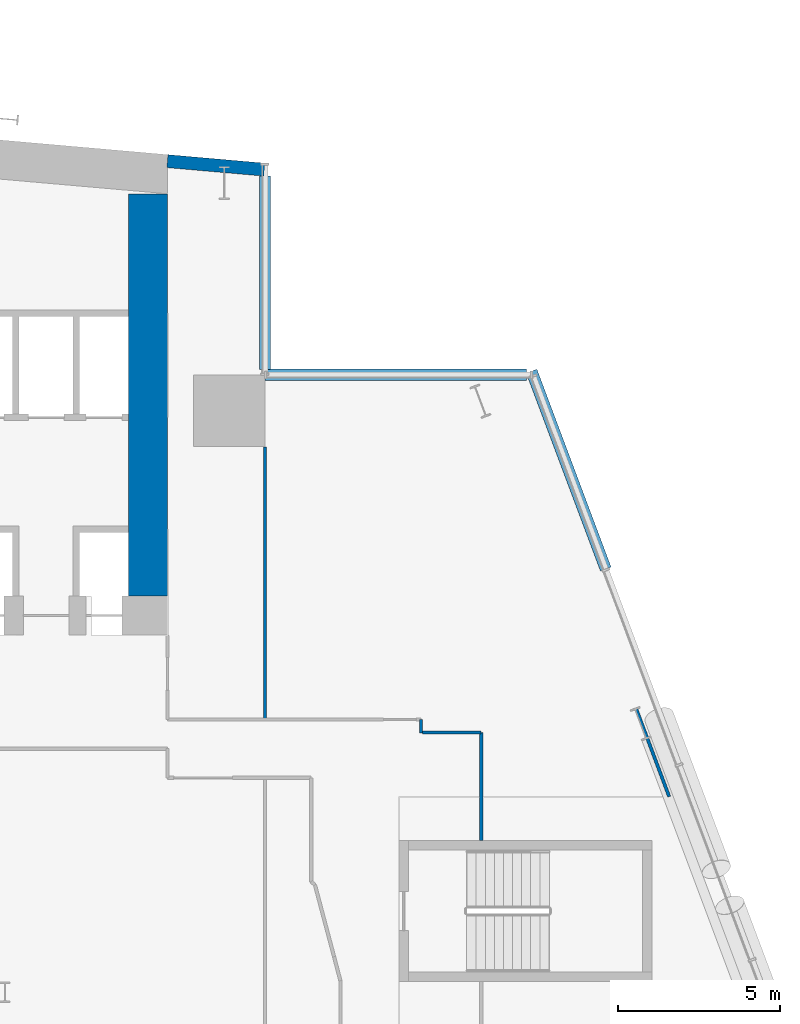
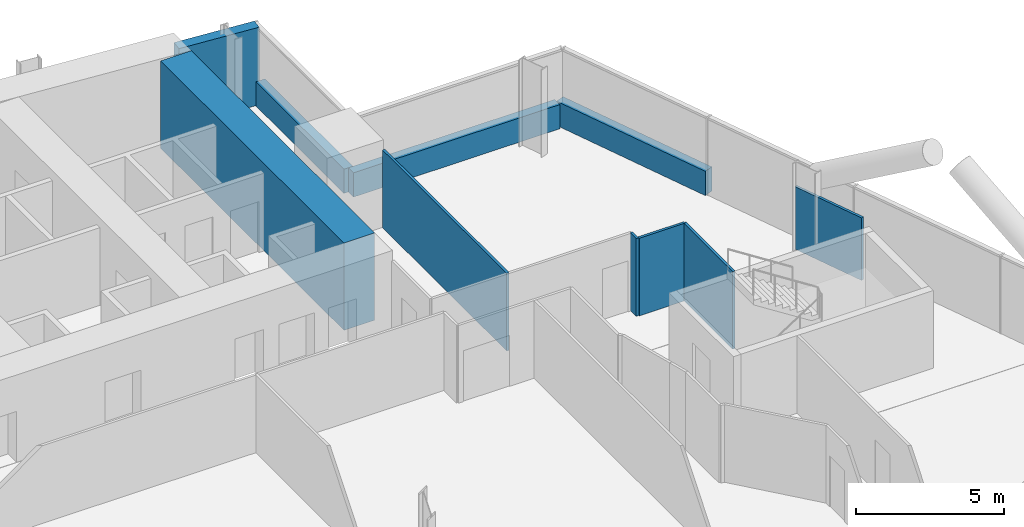
# One storey, part 19 of 27: 10 walls.
"""IFC4 building model written with IfcOpenShell, lengths in metres."""

from ifc_helpers import new_model, si_unit, direction, frame, frame_2d, origin, place, context, subcontext, project, spatial, rectangle, extrude, material, layer, layer_set, type_object, element, save


model = new_model("IFC4")

# Units and contexts
model_context = context("Model", 3, precision=1e-05, world=origin(), true_north=direction((0.0, 1.0)))
body_context = subcontext(model_context, "Body", "Model", "MODEL_VIEW")
ifc_project = project(units=[si_unit("LENGTHUNIT", "METRE"), si_unit("AREAUNIT", "SQUARE_METRE"), si_unit("VOLUMEUNIT", "CUBIC_METRE"), si_unit("PLANEANGLEUNIT", "RADIAN"), si_unit("MASSUNIT", "GRAM", prefix="KILO")], contexts=[model_context])

# Site, building, storey
site_placement = place(None, origin())
site = spatial("IfcSite", under=ifc_project, at=site_placement, CompositionType="ELEMENT")
building_placement = place(site_placement, origin())
building = spatial("IfcBuilding", under=site, at=building_placement, Name="Wharfspan Tower", CompositionType="ELEMENT")
storey_placement = place(building_placement, frame((0.0, 0.0, 81.100098)))
storey = spatial("IfcBuildingStorey", under=building, at=storey_placement, Name="L17", CompositionType="ELEMENT", Elevation=81.100098)

# Walls
ifc_material_1 = material(Name="Gypsum board on steel studs", Category="steel")
ifc_layer_1 = layer(ifc_material_1, 0.100098)
ifc_layer_set_1 = layer_set([ifc_layer_1], Name="Gypsum board on steel studs")
wall_type_1 = type_object("IfcWallType", Name="Compartment wall 100 EI 60", PredefinedType="PARTITIONING", material=ifc_layer_set_1)
wall_1_placement = place(storey_placement, frame((68.0, 31.399902, 0.0), z_axis=(0.0, 0.0, 1.0), x_axis=(0.0, 1.0, 0.0)))
element("IfcWall", 1, at=wall_1_placement, inside=storey, type_object=wall_type_1, Name="Partition L17.w053", PredefinedType="PARTITIONING", context=body_context, shape_type="SweptSolid", body=[
    extrude(rectangle(XDim=8.390137, YDim=0.100098, at=frame_2d((4.195068, 0.0))), origin(), (0.0, 0.0, 1.0), 3.199951),
])
wall_2_placement = place(storey_placement, frame((72.810059, 30.985107, 0.0), z_axis=(0.0, 0.0, 1.0), x_axis=(0.0, 1.0, 0.0)))
element("IfcWall", 2, at=wall_2_placement, inside=storey, type_object=wall_type_1, Name="Partition L17.w061", PredefinedType="PARTITIONING", context=body_context, shape_type="SweptSolid", body=[
    extrude(rectangle(XDim=0.414795, YDim=0.100098, at=frame_2d((0.20752, 0.0))), origin(), (0.0, 0.0, 1.0), 3.199951),
])
wall_3_placement = place(storey_placement, frame((72.860107, 31.0, 0.0), z_axis=(0.0, 0.0, 1.0), x_axis=(1.0, 0.0, 0.0)))
element("IfcWall", 3, at=wall_3_placement, inside=storey, type_object=wall_type_1, Name="Partition L17.w063", PredefinedType="PARTITIONING", context=body_context, shape_type="SweptSolid", body=[
    extrude(rectangle(XDim=1.799805, YDim=0.100098, at=frame_2d((0.899902, 0.0))), origin(), (0.0, 0.0, 1.0), 3.199951),
])
wall_4_placement = place(storey_placement, frame((74.659912, 27.675049, 0.0), z_axis=(0.0, 0.0, 1.0), x_axis=(0.0, 1.0, 0.0)))
element("IfcWall", 4, at=wall_4_placement, inside=storey, type_object=wall_type_1, Name="Partition L17.w066", PredefinedType="PARTITIONING", context=body_context, shape_type="SweptSolid", body=[
    extrude(rectangle(XDim=3.324951, YDim=0.100098, at=frame_2d((1.662598, 0.0))), origin(), (0.0, 0.0, 1.0), 3.199951),
])
ifc_material_2 = material(Name="Concrete C70/85", Category="concrete")
ifc_layer_2 = layer(ifc_material_2, 1.199951)
ifc_layer_set_2 = layer_set([ifc_layer_2], Name="Concrete C70/85")
wall_type_2 = type_object("IfcWallType", Name="Core wall 1200 C70/85", PredefinedType="SHEAR", material=ifc_layer_set_2)
wall_5_placement = place(storey_placement, frame((64.399902, 35.199951, 0.0), z_axis=(0.0, 0.0, 1.0), x_axis=(0.0, 1.0, 0.0)))
element("IfcWall", 5, at=wall_5_placement, inside=storey, type_object=wall_type_2, Name="Core cross wall EW1 L17", PredefinedType="SHEAR", context=body_context, shape_type="SweptSolid", body=[
    extrude(rectangle(XDim=12.382812, YDim=1.199951, at=frame_2d((6.191406, 0.0))), origin(), (0.0, 0.0, 1.0), 3.599854),
])
ifc_layer_3 = layer(ifc_material_1, 0.100098)
ifc_layer_set_3 = layer_set([ifc_layer_3], Name="Gypsum board on steel studs")
wall_type_3 = type_object("IfcWallType", Name="Partition 100", PredefinedType="PARTITIONING", material=ifc_layer_set_3)
wall_6_placement = place(storey_placement, frame((80.44751, 29.02002, 0.0), z_axis=(0.0, 0.0, 1.0), x_axis=(-0.35129, 0.93627, 0.0)))
element("IfcWall", 6, at=wall_6_placement, inside=storey, type_object=wall_type_3, Name="Partition L17.w071", PredefinedType="PARTITIONING", context=body_context, shape_type="SweptSolid", body=[
    extrude(rectangle(XDim=2.910645, YDim=0.100098, at=frame_2d((1.455322, 0.0))), origin(), (0.0, 0.0, 1.0), 2.579834),
])
ifc_material_3 = material(Name="Concrete C40/50", Category="concrete")
ifc_layer_4 = layer(ifc_material_3, 0.350098)
ifc_layer_set_4 = layer_set([ifc_layer_4], Name="Concrete C40/50")
wall_type_4 = type_object("IfcWallType", Name="SPANDREL EXPOSED CONCRETE 350", PredefinedType="SOLIDWALL", material=ifc_layer_set_4)
wall_7_placement = place(storey_placement, frame((78.494141, 36.029785, 0.0), z_axis=(0.0, 0.0, 1.0), x_axis=(-0.351108, 0.936338, 0.0)))
element("IfcWall", 7, at=wall_7_placement, inside=storey, type_object=wall_type_4, Name="Spandrel upstand L17 E 2", PredefinedType="SOLIDWALL", context=body_context, shape_type="SweptSolid", body=[
    extrude(rectangle(XDim=6.50293, YDim=0.350098, at=frame_2d((3.251465, 0.0))), origin(), (0.0, 0.0, 1.0), 1.0),
])
wall_8_placement = place(storey_placement, frame((76.047119, 42.004883, 0.0), z_axis=(0.0, 0.0, 1.0), x_axis=(-1.0, 0.0, 0.0)))
element("IfcWall", 8, at=wall_8_placement, inside=storey, type_object=wall_type_4, Name="Spandrel upstand L17 NRE-H", PredefinedType="SOLIDWALL", context=body_context, shape_type="SweptSolid", body=[
    extrude(rectangle(XDim=8.047119, YDim=0.350098, at=frame_2d((4.023438, 0.0))), origin(), (0.0, 0.0, 1.0), 1.0),
])
wall_9_placement = place(storey_placement, frame((68.004883, 42.179932, 0.0), z_axis=(0.0, 0.0, 1.0), x_axis=(0.0, 1.0, 0.0)))
element("IfcWall", 9, at=wall_9_placement, inside=storey, type_object=wall_type_4, Name="Spandrel upstand L17 NRE-V", PredefinedType="SOLIDWALL", context=body_context, shape_type="SweptSolid", body=[
    extrude(rectangle(XDim=5.946533, YDim=0.350098, at=frame_2d((2.973145, 0.0))), origin(), (0.0, 0.0, 1.0), 1.0),
])
ifc_layer_5 = layer(ifc_material_3, 0.399902)
ifc_layer_set_5 = layer_set([ifc_layer_5], Name="Concrete C40/50")
wall_type_5 = type_object("IfcWallType", Name="WALL EXPOSED CONCRETE 400", PredefinedType="SOLIDWALL", material=ifc_layer_set_5)
wall_10_placement = place(storey_placement, frame((67.982666, 48.325684, 0.0), z_axis=(0.0, 0.0, 1.0), x_axis=(-0.996194, 0.087168, 0.0)))
element("IfcWall", 10, at=wall_10_placement, inside=storey, type_object=wall_type_5, Name="Rear wall N2", PredefinedType="SOLIDWALL", context=body_context, shape_type="SweptSolid", body=[
    extrude(rectangle(XDim=2.994141, YDim=0.399902, at=frame_2d((1.49707, 0.0))), origin(), (0.0, 0.0, 1.0), 3.199951),
])

save(model, "model.ifc")
